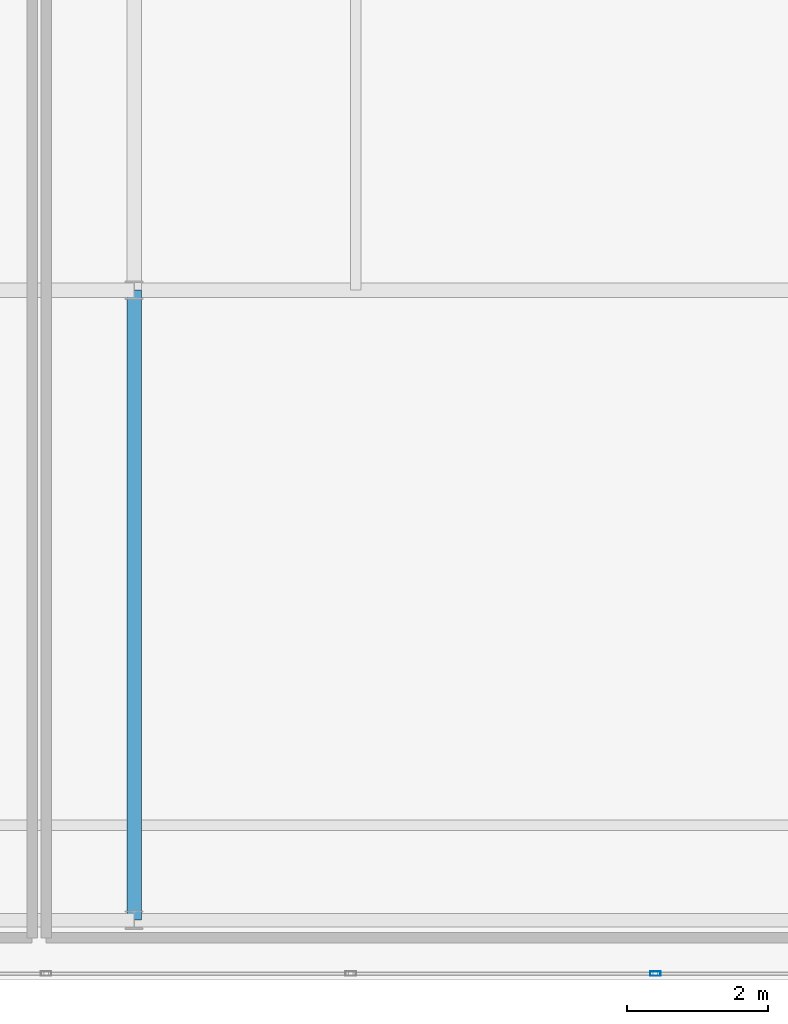
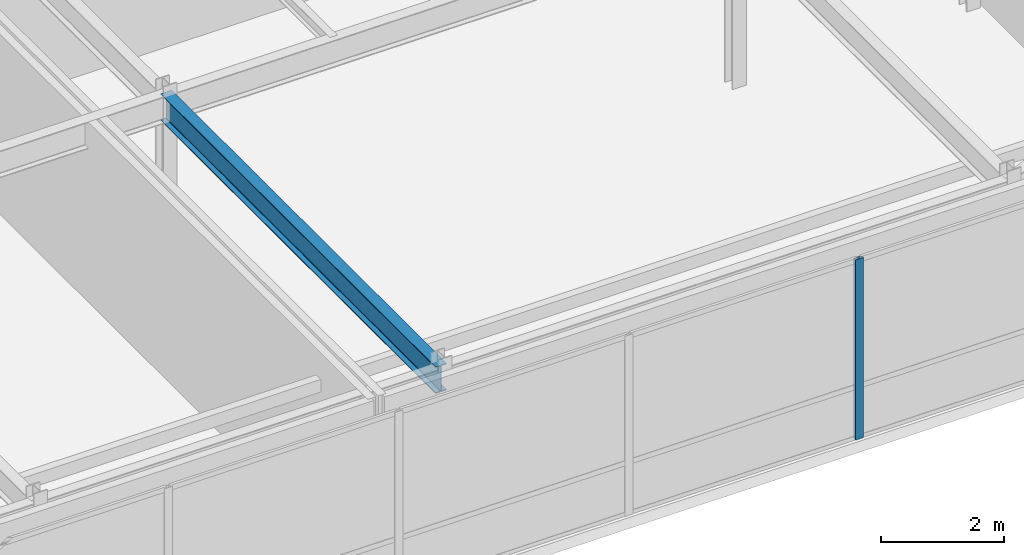
# One storey, part 13 of 36: 1 beam, 1 member, 1 element without a shape of its own.
"""IFC4 building model written with IfcOpenShell, lengths in metres."""

from ifc_helpers import new_model, si_unit, direction, frame, origin, origin_2d, place, context, subcontext, project, spatial, hollow_rectangle, i_section, extrude, source, transform, mapped, material, layer, layer_set, material_profile, profile_set, type_object, type_shapes, element, aggregate, save


model = new_model("IFC4")

# Units and contexts
model_context = context("Model", 3, precision=1e-05, world=origin(), true_north=direction((0.0, 1.0)))
body_context = subcontext(model_context, "Body", "Model", "MODEL_VIEW")
ifc_project = project(units=[si_unit("LENGTHUNIT", "METRE"), si_unit("AREAUNIT", "SQUARE_METRE"), si_unit("VOLUMEUNIT", "CUBIC_METRE"), si_unit("PLANEANGLEUNIT", "RADIAN"), si_unit("MASSUNIT", "GRAM", prefix="KILO")], contexts=[model_context])

# Site, building, storey
site_placement = place(None, origin())
site = spatial("IfcSite", under=ifc_project, at=site_placement, CompositionType="ELEMENT")
building_placement = place(site_placement, origin())
building = spatial("IfcBuilding", under=site, at=building_placement, Name="Tolvann Quenvar Hotel", CompositionType="ELEMENT")
storey_placement = place(building_placement, frame((0.0, 0.0, 298.550048828125)))
storey = spatial("IfcBuildingStorey", under=building, at=storey_placement, Name="L79", CompositionType="ELEMENT", Elevation=298.550048828125)

# Beam
ifc_material_1 = material(Name="Steel Grade 350", Category="steel")
ifc_material_profile_1 = material_profile(ifc_material_1, i_section(OverallWidth=0.208984375, OverallDepth=0.532958984375, WebThickness=0.01025390625, FlangeThickness=0.015625, FilletRadius=0.013916015625, at=origin_2d()), Name="530UB92")
ifc_profile_set_1 = profile_set([ifc_material_profile_1], Name="Steel Grade 350")
beam_type = type_object("IfcBeamType", Name="BM_GIRD_530UB92", PredefinedType="BEAM", material=ifc_profile_set_1)
shared_shape_1 = source(origin(), body_context, "Body", "SweptSolid", [
    extrude(i_section(OverallWidth=0.208984375, OverallDepth=0.532958984375, WebThickness=0.01025390625, FlangeThickness=0.015625, FilletRadius=0.013916015625, at=origin_2d()), origin(), (0.0, 0.0, 1.0), 8.949951171875),
])
type_shapes(beam_type, [shared_shape_1])
beam_placement = place(storey_placement, frame((22.050048828125, 7.050048828125, 3.3134765625), z_axis=(0.0, 1.0, 0.0), x_axis=(-1.0, 0.0, 0.0)))
element("IfcBeam", 1, at=beam_placement, inside=storey, type_object=beam_type, Name="BM-L79-NS-E2-E4", PredefinedType="BEAM", context=body_context, shape_type="MappedRepresentation", body=[
    mapped(shared_shape_1, transform((0.0, 0.0, 0.0), x_axis=(1.0, 0.0, 0.0), y_axis=(0.0, 1.0, 0.0), z_axis=(0.0, 0.0, 1.0), scale=1.0)),
])

# Curtain wall, member
ifc_material_2 = material(Name="Thermally broken anodised architectural aluminium 6063-T6 and laminated low-E glass", Category="aluminium")
ifc_layer = layer(ifc_material_2, 0.179931640625)
ifc_layer_set = layer_set([ifc_layer], Name="Thermally broken anodised architectural aluminium 6063-T6 and laminated low-E glass")
curtain_wall_type = type_object("IfcCurtainWallType", Name="CW_SYS_LANT_06", PredefinedType="USERDEFINED", material=ifc_layer_set)
curtain_wall_placement = place(storey_placement, origin())
curtain_wall = element("IfcCurtainWall", 2, at=curtain_wall_placement, inside=storey, type_object=curtain_wall_type, Name="Curtain Wall CW-LANT-06 (CWR-L79-E04)", ObjectType="UNITISED CURTAIN WALL", PredefinedType="USERDEFINED")
ifc_material_3 = material(Name="Anodised architectural aluminium 6063-T6 framing", Category="aluminium")
ifc_material_profile_2 = material_profile(ifc_material_3, hollow_rectangle(XDim=0.06494140625, YDim=0.14990234375, WallThickness=0.00390625, at=origin_2d()), Name="150x65x4RHS")
ifc_profile_set_2 = profile_set([ifc_material_profile_2], Name="Anodised architectural aluminium 6063-T6 framing")
member_type = type_object("IfcMemberType", Name="CW_MULL_150x65", PredefinedType="MULLION", material=ifc_profile_set_2)
shared_shape_2 = source(origin(), body_context, "Body", "SweptSolid", [
    extrude(hollow_rectangle(XDim=0.06494140625, YDim=0.14990234375, WallThickness=0.00390625, at=origin_2d()), origin(), (0.0, 0.0, 1.0), 3.579833984375),
])
type_shapes(member_type, [shared_shape_2])
member_placement = place(storey_placement, frame((29.455078125, 6.2900390625, 0.0), z_axis=(0.0, 0.0, 1.0), x_axis=(0.0, 1.0, 0.0)))
member = element("IfcMember", 3, at=member_placement, type_object=member_type, Name="CW-LANT-06 mullion 6", PredefinedType="MULLION", context=body_context, shape_type="MappedRepresentation", body=[
    mapped(shared_shape_2, transform((0.0, 0.0, 0.0), x_axis=(1.0, 0.0, 0.0), y_axis=(0.0, 1.0, 0.0), z_axis=(0.0, 0.0, 1.0), scale=1.0)),
])
aggregate(curtain_wall, [member])

save(model, "model.ifc")
